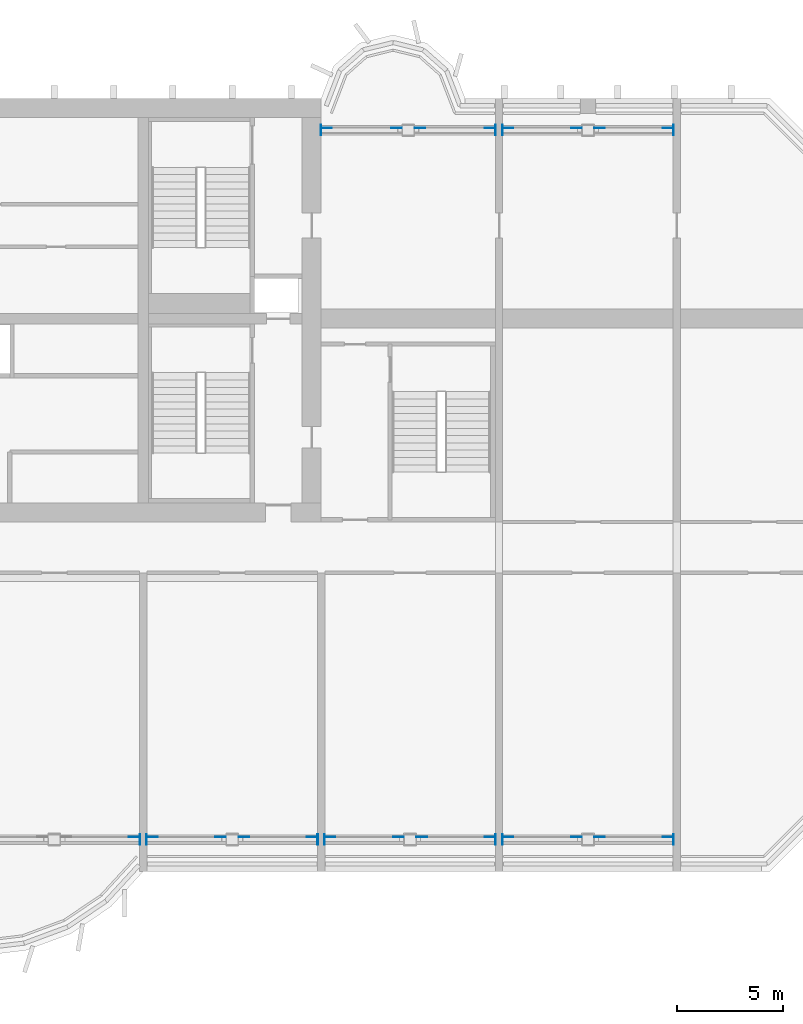
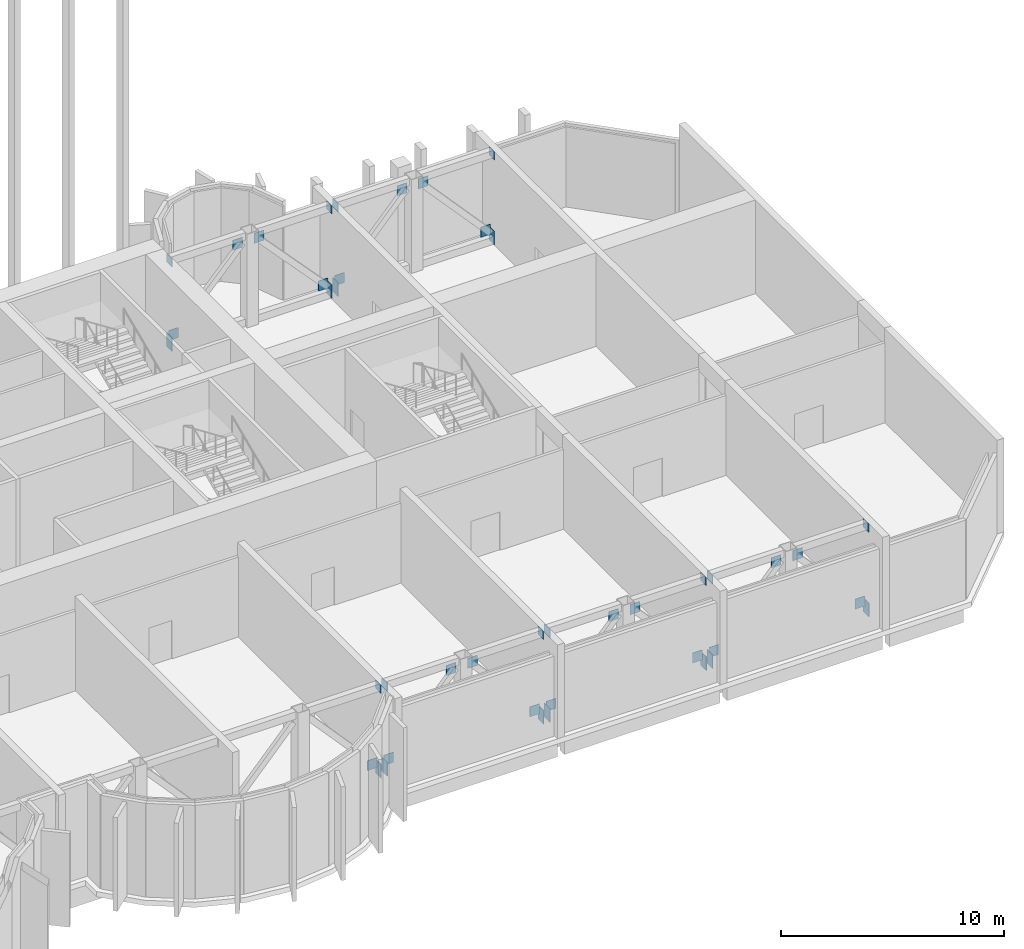
# One storey, part 13 of 17: 43 discrete accessories.
"""IFC4 building model written with IfcOpenShell, lengths in metres."""

import ifcopenshell
import ifcopenshell.guid

model = None  # the IFC model being written
_history = None  # IfcOwnerHistory: only IFC2X3 demands one
_inside = {}  # id of a spatial element -> (the spatial element, [elements in it])
_under = {}  # id of a project, library or spatial element -> (it, [spatial elements below it])
_declared = {}  # id of a project -> (the project, [libraries it declares])
_typed = {}  # id of a type object -> (the type object, [elements of that type])
_made_of = {}  # id of a material, layer set ... -> (it, [elements and type objects made of it])


def new_model(schema):
    """Start an empty IFC model of exactly this schema.

    Asked for "IFC4X3", IfcOpenShell would pick the latest addendum, in which some entities
    have other attributes; the version numbers below select the first issue.
    IFC2X3 requires an IfcOwnerHistory on every rooted entity: one is made here for all.
    """
    global model, _history
    if schema == "IFC4X3":
        model = ifcopenshell.file(schema_version=(4, 3, 0, 0))
    else:
        model = ifcopenshell.file(schema=schema)
    _inside.clear()
    _under.clear()
    _declared.clear()
    _typed.clear()
    _made_of.clear()
    _history = None
    if model.schema == "IFC2X3":
        org = make("IfcOrganization", Name="unknown")
        user = make(
            "IfcPersonAndOrganization",
            ThePerson=make("IfcPerson", FamilyName="unknown"),
            TheOrganization=org,
        )
        app = make(
            "IfcApplication",
            ApplicationDeveloper=org,
            Version="unknown",
            ApplicationFullName="unknown",
            ApplicationIdentifier="unknown",
        )
        _history = make(
            "IfcOwnerHistory",
            OwningUser=user,
            OwningApplication=app,
            ChangeAction="ADDED",
            CreationDate=0,
        )
    return model


def make(cls, **values):
    """One entity of the class cls with the attributes given. An attribute that is None is left unset."""
    return model.create_entity(
        cls, **{name: value for name, value in values.items() if value is not None}
    )


def rooted(cls, **values):
    """An entity with a GlobalId (a new one), such as an element, a storey or a relation."""
    return make(cls, GlobalId=ifcopenshell.guid.new(), OwnerHistory=_history, **values)


def si_unit(unit_type, name, prefix=None):
    """IfcSIUnit, for example si_unit("LENGTHUNIT", "METRE", prefix="MILLI")."""
    return make("IfcSIUnit", UnitType=unit_type, Prefix=prefix, Name=name)


def assignment(units):
    """IfcUnitAssignment: the units of a project."""
    return None if units is None else make("IfcUnitAssignment", Units=units)


def point(xyz):
    """IfcCartesianPoint."""
    return None if xyz is None else make("IfcCartesianPoint", Coordinates=xyz)


def direction(xyz):
    """IfcDirection."""
    return None if xyz is None else make("IfcDirection", DirectionRatios=xyz)


def frame(location, z_axis=None, x_axis=None):
    """IfcAxis2Placement3D, a coordinate frame: its origin and axes. An axis left out is left unset."""
    return make(
        "IfcAxis2Placement3D",
        Location=point(location),
        Axis=direction(z_axis),
        RefDirection=direction(x_axis),
    )


def frame_2d(location, x_axis=None):
    """IfcAxis2Placement2D, a coordinate frame in the plane: its origin and x axis."""
    return make(
        "IfcAxis2Placement2D", Location=point(location), RefDirection=direction(x_axis)
    )


def origin():
    """The frame at (0, 0, 0) with its axes left unset."""
    return frame((0.0, 0.0, 0.0))


def origin_2d():
    """The frame at (0, 0) in the plane with its x axis left unset."""
    return frame_2d((0.0, 0.0))


def place(relative_to, where):
    """IfcLocalPlacement: puts the frame where relative to a parent placement (None: the world)."""
    return make(
        "IfcLocalPlacement", PlacementRelTo=relative_to, RelativePlacement=where
    )


def context(
    kind, dimensions, precision=None, world=None, true_north=None, identifier=None
):
    """IfcGeometricRepresentationContext, for example the 3D "Model" context."""
    return make(
        "IfcGeometricRepresentationContext",
        ContextIdentifier=identifier,
        ContextType=kind,
        CoordinateSpaceDimension=dimensions,
        Precision=precision,
        WorldCoordinateSystem=world,
        TrueNorth=true_north,
    )


def subcontext(parent, identifier, kind, view, scale=None):
    """IfcGeometricRepresentationSubContext, for example "Body" below "Model"."""
    return make(
        "IfcGeometricRepresentationSubContext",
        ContextIdentifier=identifier,
        ContextType=kind,
        ParentContext=parent,
        TargetScale=scale,
        TargetView=view,
    )


def project(units=None, contexts=None):
    """IfcProject with its units and contexts."""
    return rooted(
        "IfcProject",
        Name="project",
        RepresentationContexts=contexts,
        UnitsInContext=assignment(units),
    )


def spatial(cls, under=None, at=None, **own):
    """A site, building, storey or space (cls), placed at a placement, below another one or the project."""
    s = rooted(cls, ObjectPlacement=at, **own)
    if under is not None:
        _under.setdefault(under.id(), (under, []))[1].append(s)
    return s


def profile(cls, at=None, kind="AREA", **sizes):
    """A parametric profile (cls). Its sizes go by their IFC names, for example OverallWidth=200.0."""
    return make(cls, ProfileType=kind, Position=at, **sizes)


def rectangle(**sizes):
    """IfcRectangleProfileDef."""
    return profile("IfcRectangleProfileDef", **sizes)


def extrude(swept, where, along, depth):
    """IfcExtrudedAreaSolid: the profile swept, set in the frame where, extruded along a direction by depth."""
    return make(
        "IfcExtrudedAreaSolid",
        SweptArea=swept,
        Position=where,
        ExtrudedDirection=direction(along),
        Depth=depth,
    )


def shape(context_of_items, identifier, shape_type, items):
    """IfcShapeRepresentation: the items that make up one representation, for example the "Body"."""
    return make(
        "IfcShapeRepresentation",
        ContextOfItems=context_of_items,
        RepresentationIdentifier=identifier,
        RepresentationType=shape_type,
        Items=items,
    )


def source(mapping_origin, context_of_items, identifier, shape_type, items):
    """IfcRepresentationMap: a shape defined once, which mapped items show again and again."""
    return make(
        "IfcRepresentationMap",
        MappingOrigin=mapping_origin,
        MappedRepresentation=shape(context_of_items, identifier, shape_type, items),
    )


def transform(
    local_origin,
    x_axis=None,
    y_axis=None,
    z_axis=None,
    scale=None,
    scale2=None,
    scale3=None,
    uniform=True,
):
    """IfcCartesianTransformationOperator3D, or its non-uniform kind. x_axis, y_axis, z_axis: its Axis1, 2, 3."""
    if uniform:
        return make(
            "IfcCartesianTransformationOperator3D",
            Axis1=direction(x_axis),
            Axis2=direction(y_axis),
            LocalOrigin=point(local_origin),
            Scale=scale,
            Axis3=direction(z_axis),
        )
    return make(
        "IfcCartesianTransformationOperator3DnonUniform",
        Axis1=direction(x_axis),
        Axis2=direction(y_axis),
        LocalOrigin=point(local_origin),
        Scale=scale,
        Axis3=direction(z_axis),
        Scale2=scale2,
        Scale3=scale3,
    )


def mapped(mapping_source, mapping_target):
    """IfcMappedItem: shows the shape of a source again, moved by a transform."""
    return make(
        "IfcMappedItem", MappingSource=mapping_source, MappingTarget=mapping_target
    )


def material(Name=None, Category=None):
    """IfcMaterial."""
    return make("IfcMaterial", Name=Name, Category=Category)


def layer(
    of_material, thickness, ventilated=None, Name=None, Category=None, Priority=None
):
    """IfcMaterialLayer: one layer of a wall or slab, of a material (None: an air gap)."""
    return make(
        "IfcMaterialLayer",
        Material=of_material,
        LayerThickness=thickness,
        IsVentilated=ventilated,
        Name=Name,
        Category=Category,
        Priority=Priority,
    )


def layer_set(layers, Name=None):
    """IfcMaterialLayerSet."""
    return make("IfcMaterialLayerSet", MaterialLayers=layers, LayerSetName=Name)


def made_of(thing, what):
    """Note that an element or type object is made of a material, layer set ...; save() writes the relation."""
    if what is not None:
        _made_of.setdefault(what.id(), (what, []))[1].append(thing)
    return thing


def type_object(cls, material=None, **own):
    """A type object (cls), such as IfcWallType, which elements share."""
    return made_of(rooted(cls, **own), material)


def element(
    cls,
    number,
    at=None,
    inside=None,
    cuts=None,
    type_object=None,
    material=None,
    context=None,
    identifier="Body",
    shape_type=None,
    held_by="IfcProductDefinitionShape",
    body=None,
    shapes=None,
    **own,
):
    """One element of the class cls, such as IfcWall. Its Tag is "e" and its number.

    at: its placement. inside: the storey or other place that contains it. cuts: it is an
    opening in that element (IfcRelVoidsElement). A single representation is given by context,
    identifier, shape_type and body (its items); several are given by shapes. held_by: the class
    of the entity that holds the representations. save() writes the other relations.
    """
    e = rooted(cls, Tag="e%d" % number, ObjectPlacement=at, **own)
    if body is not None:
        shapes = [shape(context, identifier, shape_type, body)]
    if shapes is not None:
        e.Representation = make(held_by, Representations=shapes)
    if inside is not None:
        _inside.setdefault(inside.id(), (inside, []))[1].append(e)
    if cuts is not None:
        rooted(
            "IfcRelVoidsElement", RelatingBuildingElement=cuts, RelatedOpeningElement=e
        )
    if type_object is not None:
        _typed.setdefault(type_object.id(), (type_object, []))[1].append(e)
    return made_of(e, material)


def aggregate(whole, parts):
    """IfcRelAggregates: a whole, such as a stair, and the parts it consists of."""
    return rooted("IfcRelAggregates", RelatingObject=whole, RelatedObjects=parts)


def save(model, path):
    """Write the relations noted so far, then the file.

    IfcRelAggregates (storeys below a building ...), IfcRelContainedInSpatialStructure (elements
    in a storey), IfcRelDefinesByType, IfcRelAssociatesMaterial and IfcRelDeclares: one each for
    every whole, place, type object, material and project.
    """
    for whole, parts in _under.values():
        aggregate(whole, parts)
    for where, things in _inside.values():
        rooted(
            "IfcRelContainedInSpatialStructure",
            RelatedElements=things,
            RelatingStructure=where,
        )
    for kind, things in _typed.values():
        rooted("IfcRelDefinesByType", RelatedObjects=things, RelatingType=kind)
    for what, things in _made_of.values():
        rooted("IfcRelAssociatesMaterial", RelatedObjects=things, RelatingMaterial=what)
    for by, libraries in _declared.values():
        rooted("IfcRelDeclares", RelatingContext=by, RelatedDefinitions=libraries)
    model.write(path)


model = new_model("IFC4")

# Units and contexts
model_context = context("Model", 3, precision=1e-05, world=origin(), true_north=direction((0.0, 1.0)))
body_context = subcontext(model_context, "Body", "Model", "MODEL_VIEW")
ifc_project = project(units=[si_unit("LENGTHUNIT", "METRE"), si_unit("AREAUNIT", "SQUARE_METRE"), si_unit("VOLUMEUNIT", "CUBIC_METRE"), si_unit("PLANEANGLEUNIT", "RADIAN"), si_unit("MASSUNIT", "GRAM", prefix="KILO")], contexts=[model_context])

# Site, building, storey
site_placement = place(None, origin())
site = spatial("IfcSite", under=ifc_project, at=site_placement, CompositionType="ELEMENT")
building_placement = place(site_placement, origin())
building = spatial("IfcBuilding", under=site, at=building_placement, Name="Vanashikhar Sky Hotel", CompositionType="ELEMENT")
storey_placement = place(building_placement, frame((0.0, 0.0, 140.800048828125)))
storey = spatial("IfcBuildingStorey", under=building, at=storey_placement, Name="L34", CompositionType="ELEMENT", Elevation=140.800048828125)

# Discrete accessories
ifc_material = material(Name="Steel S355", Category="steel")
ifc_layer_1 = layer(ifc_material, 0.030029296875)
ifc_layer_set_1 = layer_set([ifc_layer_1], Name="Cast-in anchor plate 500x750x30")
discrete_accessory_type_1 = type_object("IfcDiscreteAccessoryType", Name="Cast-in anchor plate 500x750x30", PredefinedType="ANCHORPLATE", material=ifc_layer_set_1)
shared_shape_1 = source(origin(), body_context, "Body", "SweptSolid", [
    extrude(rectangle(XDim=0.030029296875, YDim=0.5, at=origin_2d()), origin(), (0.0, 0.0, 1.0), 0.75),
])
for number, where, z_axis, x_axis, name in (
    (1, (67.0400390625, 7.0, 0.02490234375), (0.0, 0.0, 1.0), (1.0, 0.0, 0.0), "EP-L34-F07BB"),
    (2, (67.360107421875, 7.0, 0.02490234375), (0.0, 0.0, 1.0), (1.0, 0.0, 0.0), "EP-L34-F08AB"),
    (3, (75.43994140625, 7.0, 0.02490234375), (0.0, 0.0, 1.0), (1.0, 0.0, 0.0), "EP-L34-F08BB"),
    (4, (75.760009765625, 7.0, 0.02490234375), (0.0, 0.0, 1.0), (1.0, 0.0, 0.0), "EP-L34-F09AB"),
    (5, (83.840087890625, 7.0, 0.02490234375), (0.0, 0.0, 1.0), (1.0, 0.0, 0.0), "EP-L34-F09BB"),
    (6, (84.159912109375, 7.0, 0.02490234375), (0.0, 0.0, 1.0), (1.0, 0.0, 0.0), "EP-L34-F10AB"),
    (7, (92.239990234375, 7.0, 0.02490234375), (0.0, 0.0, 1.0), (1.0, 0.0, 0.0), "EP-L34-F10BB"),
    (8, (84.159912109375, 40.5, 0.02490234375), (0.0, 0.0, 1.0), (1.0, 0.0, 0.0), "EP-L34-R13AB"),
    (9, (92.239990234375, 40.5, 0.02490234375), (0.0, 0.0, 1.0), (1.0, 0.0, 0.0), "EP-L34-R13BB"),
    (10, (75.5849609375, 40.5, 0.02490234375), (0.0, 0.0, 1.0), (1.0, 0.0, 0.0), "EP-L34-R14AB"),
    (11, (83.840087890625, 40.5, 0.02490234375), (0.0, 0.0, 1.0), (1.0, 0.0, 0.0), "EP-L34-R14BB"),
):
    element("IfcDiscreteAccessory", number, at=place(storey_placement, frame(where, z_axis=z_axis, x_axis=x_axis)), inside=storey, type_object=discrete_accessory_type_1, Name=name, PredefinedType="ANCHORPLATE", context=body_context, shape_type="MappedRepresentation", body=[
        mapped(shared_shape_1, transform((0.0, 0.0, 0.0), scale=1.0)),
    ])
ifc_layer_2 = layer(ifc_material, 0.030029296875)
ifc_layer_set_2 = layer_set([ifc_layer_2], Name="Cast-in anchor plate 500x450x30")
discrete_accessory_type_2 = type_object("IfcDiscreteAccessoryType", Name="Cast-in anchor plate 500x450x30", PredefinedType="ANCHORPLATE", material=ifc_layer_set_2)
shared_shape_2 = source(origin(), body_context, "Body", "SweptSolid", [
    extrude(rectangle(XDim=0.030029296875, YDim=0.5, at=origin_2d()), origin(), (0.0, 0.0, 1.0), 0.449951171875),
])
for number, where, z_axis, x_axis, name in (
    (12, (67.0400390625, 7.0, 4.64501953125), (0.0, 0.0, 1.0), (1.0, 0.0, 0.0), "EP-L34-F07BT"),
    (13, (67.360107421875, 7.0, 4.64501953125), (0.0, 0.0, 1.0), (1.0, 0.0, 0.0), "EP-L34-F08AT"),
    (14, (75.43994140625, 7.0, 4.64501953125), (0.0, 0.0, 1.0), (1.0, 0.0, 0.0), "EP-L34-F08BT"),
    (15, (75.760009765625, 7.0, 4.64501953125), (0.0, 0.0, 1.0), (1.0, 0.0, 0.0), "EP-L34-F09AT"),
    (16, (83.840087890625, 7.0, 4.64501953125), (0.0, 0.0, 1.0), (1.0, 0.0, 0.0), "EP-L34-F09BT"),
    (17, (84.159912109375, 7.0, 4.64501953125), (0.0, 0.0, 1.0), (1.0, 0.0, 0.0), "EP-L34-F10AT"),
    (18, (92.239990234375, 7.0, 4.64501953125), (0.0, 0.0, 1.0), (1.0, 0.0, 0.0), "EP-L34-F10BT"),
    (19, (84.159912109375, 40.5, 4.64501953125), (0.0, 0.0, 1.0), (1.0, 0.0, 0.0), "EP-L34-R13AT"),
    (20, (92.239990234375, 40.5, 4.64501953125), (0.0, 0.0, 1.0), (1.0, 0.0, 0.0), "EP-L34-R13BT"),
    (21, (75.5849609375, 40.5, 4.64501953125), (0.0, 0.0, 1.0), (1.0, 0.0, 0.0), "EP-L34-R14AT"),
    (22, (83.840087890625, 40.5, 4.64501953125), (0.0, 0.0, 1.0), (1.0, 0.0, 0.0), "EP-L34-R14BT"),
):
    element("IfcDiscreteAccessory", number, at=place(storey_placement, frame(where, z_axis=z_axis, x_axis=x_axis)), inside=storey, type_object=discrete_accessory_type_2, Name=name, PredefinedType="ANCHORPLATE", context=body_context, shape_type="MappedRepresentation", body=[
        mapped(shared_shape_2, transform((0.0, 0.0, 0.0), scale=1.0)),
    ])
ifc_layer_3 = layer(ifc_material, 0.02490234375)
ifc_layer_set_3 = layer_set([ifc_layer_3], Name="Truss gusset plate 500x550x25")
discrete_accessory_type_3 = type_object("IfcDiscreteAccessoryType", Name="Truss gusset plate 500x550x25", PredefinedType="BRACKET", material=ifc_layer_set_3)
shared_shape_3 = source(origin(), body_context, "Body", "SweptSolid", [
    extrude(rectangle(XDim=0.5, YDim=0.02490234375, at=origin_2d()), origin(), (0.0, 0.0, 1.0), 0.550048828125),
])
for number, where, z_axis, x_axis, name in (
    (23, (66.77490234375, 7.112548828125, 0.39990234375), (0.0, 0.0, 1.0), (1.0, 0.0, 0.0), "GS-L34-F07RA"),
    (24, (67.625, 7.112548828125, 0.39990234375), (0.0, 0.0, 1.0), (1.0, 0.0, 0.0), "GS-L34-F08LA"),
    (25, (70.85009765625, 7.112548828125, 4.169921875), (0.0, 0.0, 1.0), (1.0, 0.0, 0.0), "GS-L34-F08LB"),
    (26, (75.175048828125, 7.112548828125, 0.39990234375), (0.0, 0.0, 1.0), (1.0, 0.0, 0.0), "GS-L34-F08RA"),
    (27, (71.949951171875, 7.112548828125, 4.169921875), (0.0, 0.0, 1.0), (1.0, 0.0, 0.0), "GS-L34-F08RB"),
    (28, (76.02490234375, 7.112548828125, 0.39990234375), (0.0, 0.0, 1.0), (1.0, 0.0, 0.0), "GS-L34-F09LA"),
    (29, (79.25, 7.112548828125, 4.169921875), (0.0, 0.0, 1.0), (1.0, 0.0, 0.0), "GS-L34-F09LB"),
    (30, (83.574951171875, 7.112548828125, 0.39990234375), (0.0, 0.0, 1.0), (1.0, 0.0, 0.0), "GS-L34-F09RA"),
    (31, (80.35009765625, 7.112548828125, 4.169921875), (0.0, 0.0, 1.0), (1.0, 0.0, 0.0), "GS-L34-F09RB"),
    (32, (84.425048828125, 7.112548828125, 0.39990234375), (0.0, 0.0, 1.0), (1.0, 0.0, 0.0), "GS-L34-F10LA"),
    (33, (87.64990234375, 7.112548828125, 4.169921875), (0.0, 0.0, 1.0), (1.0, 0.0, 0.0), "GS-L34-F10LB"),
    (34, (91.97509765625, 7.112548828125, 0.39990234375), (0.0, 0.0, 1.0), (1.0, 0.0, 0.0), "GS-L34-F10RA"),
    (35, (88.75, 7.112548828125, 4.169921875), (0.0, 0.0, 1.0), (1.0, 0.0, 0.0), "GS-L34-F10RB"),
    (36, (84.425048828125, 40.612548828125, 0.39990234375), (0.0, 0.0, 1.0), (1.0, 0.0, 0.0), "GS-L34-R13LA"),
    (37, (87.64990234375, 40.612548828125, 4.169921875), (0.0, 0.0, 1.0), (1.0, 0.0, 0.0), "GS-L34-R13LB"),
    (38, (91.97509765625, 40.612548828125, 0.39990234375), (0.0, 0.0, 1.0), (1.0, 0.0, 0.0), "GS-L34-R13RA"),
    (39, (88.75, 40.612548828125, 4.169921875), (0.0, 0.0, 1.0), (1.0, 0.0, 0.0), "GS-L34-R13RB"),
    (40, (75.85009765625, 40.612548828125, 0.39990234375), (0.0, 0.0, 1.0), (1.0, 0.0, 0.0), "GS-L34-R14LA"),
    (41, (79.16259765625, 40.612548828125, 4.169921875), (0.0, 0.0, 1.0), (1.0, 0.0, 0.0), "GS-L34-R14LB"),
    (42, (83.574951171875, 40.612548828125, 0.39990234375), (0.0, 0.0, 1.0), (1.0, 0.0, 0.0), "GS-L34-R14RA"),
    (43, (80.262451171875, 40.612548828125, 4.169921875), (0.0, 0.0, 1.0), (1.0, 0.0, 0.0), "GS-L34-R14RB"),
):
    element("IfcDiscreteAccessory", number, at=place(storey_placement, frame(where, z_axis=z_axis, x_axis=x_axis)), inside=storey, type_object=discrete_accessory_type_3, Name=name, PredefinedType="BRACKET", context=body_context, shape_type="MappedRepresentation", body=[
        mapped(shared_shape_3, transform((0.0, 0.0, 0.0), scale=1.0)),
    ])

save(model, "model.ifc")
